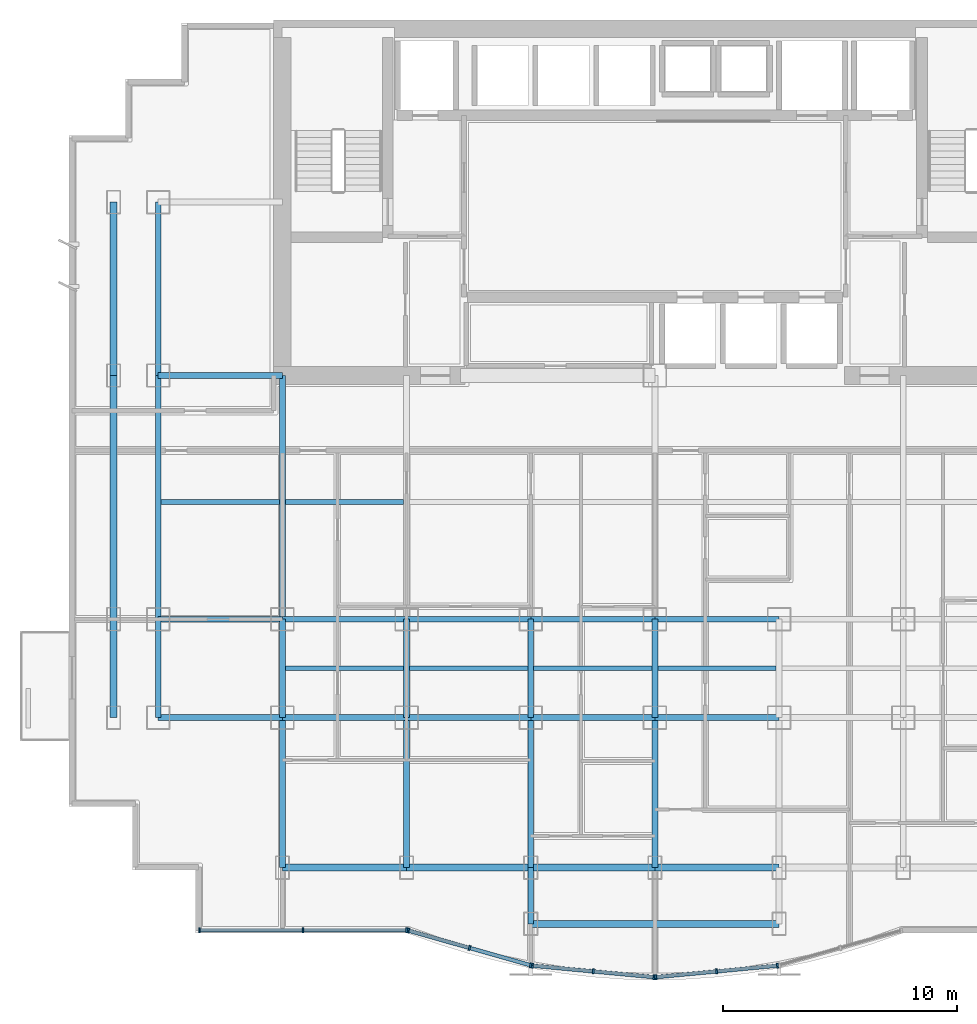
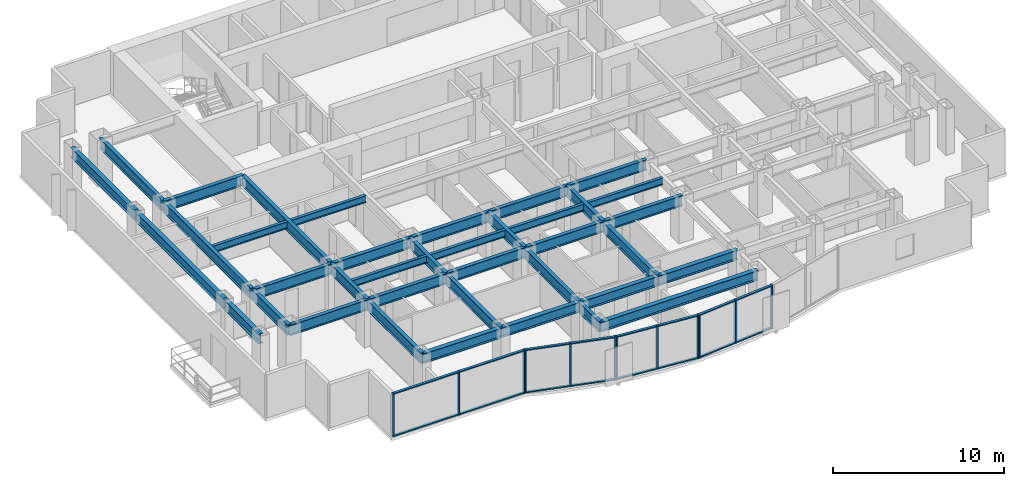
# One storey, part 2 of 10: 38 beams, 28 members, 4 elements without a shape of their own.
"""IFC4 building model written with IfcOpenShell, lengths in metres."""

from ifc_helpers import new_model, si_unit, direction, frame, origin, origin_2d, place, context, subcontext, project, spatial, rectangle, i_section, extrude, source, transform, mapped, material, layer, layer_set, material_profile, profile_set, type_object, element, aggregate, save


model = new_model("IFC4")

# Units and contexts
model_context = context("Model", 3, precision=1e-05, world=origin(), true_north=direction((0.0, 1.0)))
body_context = subcontext(model_context, "Body", "Model", "MODEL_VIEW")
ifc_project = project(units=[si_unit("LENGTHUNIT", "METRE"), si_unit("AREAUNIT", "SQUARE_METRE"), si_unit("VOLUMEUNIT", "CUBIC_METRE"), si_unit("PLANEANGLEUNIT", "RADIAN"), si_unit("MASSUNIT", "GRAM", prefix="KILO")], contexts=[model_context])

# Site, building, storey
site_placement = place(None, origin())
site = spatial("IfcSite", under=ifc_project, at=site_placement, CompositionType="ELEMENT")
building_placement = place(site_placement, origin())
building = spatial("IfcBuilding", under=site, at=building_placement, Name="Qianlan Lanfeng Residences", CompositionType="ELEMENT")
storey_placement = place(building_placement, frame((0.0, 0.0, 94.89990234375)))
storey = spatial("IfcBuildingStorey", under=building, at=storey_placement, Name="L25", CompositionType="ELEMENT", Elevation=94.89990234375)

# Beams
ifc_material_1 = material(Name="Steel SN490B", Category="steel")
ifc_material_profile_1 = material_profile(ifc_material_1, i_section(OverallWidth=0.25, OverallDepth=0.75, WebThickness=0.013916015625, FlangeThickness=0.02490234375, at=origin_2d()), Name="H 750x250x14x25")
ifc_profile_set_1 = profile_set([ifc_material_profile_1], Name="Steel SN490B")
beam_type_1 = type_object("IfcBeamType", Name="G-850", PredefinedType="BEAM", material=ifc_profile_set_1)
beam_1_placement = place(storey_placement, frame((5.300048828125, 10.60009765625, 2.715087890625), z_axis=(1.0, 0.0, 0.0), x_axis=(0.0, 1.0, 0.0)))
element("IfcBeam", 1, at=beam_1_placement, inside=storey, type_object=beam_type_1, Name="Structural beam G-850", PredefinedType="BEAM", context=body_context, shape_type="SweptSolid", body=[
    extrude(i_section(OverallWidth=0.25, OverallDepth=0.75, WebThickness=0.013916015625, FlangeThickness=0.02490234375, at=origin_2d()), origin(), (0.0, 0.0, 1.0), 5.300048828125),
])
beam_2_placement = place(storey_placement, frame((10.60009765625, 10.60009765625, 2.715087890625), z_axis=(1.0, 0.0, 0.0), x_axis=(0.0, 1.0, 0.0)))
element("IfcBeam", 2, at=beam_2_placement, inside=storey, type_object=beam_type_1, Name="Structural beam G-850", PredefinedType="BEAM", context=body_context, shape_type="SweptSolid", body=[
    extrude(i_section(OverallWidth=0.25, OverallDepth=0.75, WebThickness=0.013916015625, FlangeThickness=0.02490234375, at=origin_2d()), origin(), (0.0, 0.0, 1.0), 5.2998046875),
])
for number, where, z_axis, x_axis, name in (
    (3, (15.89990234375, 10.60009765625, 2.715087890625), (1.0, 0.0, 0.0), (0.0, 1.0, 0.0), "Structural beam G-850"),
    (4, (21.199951171875, 10.60009765625, 2.715087890625), (1.0, 0.0, 0.0), (0.0, 1.0, 0.0), "Structural beam G-850"),
    (5, (26.5, 10.60009765625, 2.715087890625), (1.0, 0.0, 0.0), (0.0, 1.0, 0.0), "Structural beam G-850"),
    (6, (5.300048828125, 14.800048828125, 2.715087890625), (1.0, 0.0, 0.0), (0.0, 1.0, 0.0), "Structural beam G-850"),
):
    element("IfcBeam", number, at=place(storey_placement, frame(where, z_axis=z_axis, x_axis=x_axis)), inside=storey, type_object=beam_type_1, Name=name, PredefinedType="BEAM", context=body_context, shape_type="SweptSolid", body=[
        extrude(i_section(OverallWidth=0.25, OverallDepth=0.75, WebThickness=0.013916015625, FlangeThickness=0.02490234375, at=origin_2d()), origin(), (0.0, 0.0, 1.0), 5.300048828125),
    ])
beam_3_placement = place(storey_placement, frame((10.60009765625, 14.800048828125, 2.715087890625), z_axis=(1.0, 0.0, 0.0), x_axis=(0.0, 1.0, 0.0)))
element("IfcBeam", 7, at=beam_3_placement, inside=storey, type_object=beam_type_1, Name="Structural beam G-850", PredefinedType="BEAM", context=body_context, shape_type="SweptSolid", body=[
    extrude(i_section(OverallWidth=0.25, OverallDepth=0.75, WebThickness=0.013916015625, FlangeThickness=0.02490234375, at=origin_2d()), origin(), (0.0, 0.0, 1.0), 5.2998046875),
])
for number, where, z_axis, x_axis, name in (
    (8, (15.89990234375, 14.800048828125, 2.715087890625), (1.0, 0.0, 0.0), (0.0, 1.0, 0.0), "Structural beam G-850"),
    (9, (21.199951171875, 14.800048828125, 2.715087890625), (1.0, 0.0, 0.0), (0.0, 1.0, 0.0), "Structural beam G-850"),
    (10, (26.5, 14.800048828125, 2.715087890625), (1.0, 0.0, 0.0), (0.0, 1.0, 0.0), "Structural beam G-850"),
    (11, (5.300048828125, 25.199951171875, 2.715087890625), (1.0, 0.0, 0.0), (0.0, 1.0, 0.0), "Structural beam G-850"),
):
    element("IfcBeam", number, at=place(storey_placement, frame(where, z_axis=z_axis, x_axis=x_axis)), inside=storey, type_object=beam_type_1, Name=name, PredefinedType="BEAM", context=body_context, shape_type="SweptSolid", body=[
        extrude(i_section(OverallWidth=0.25, OverallDepth=0.75, WebThickness=0.013916015625, FlangeThickness=0.02490234375, at=origin_2d()), origin(), (0.0, 0.0, 1.0), 5.300048828125),
    ])
beam_4_placement = place(storey_placement, frame((5.300048828125, 10.60009765625, 2.715087890625), z_axis=(0.0, 1.0, 0.0), x_axis=(-1.0, 0.0, 0.0)))
element("IfcBeam", 12, at=beam_4_placement, inside=storey, type_object=beam_type_1, Name="Structural beam G-850", PredefinedType="BEAM", context=body_context, shape_type="SweptSolid", body=[
    extrude(i_section(OverallWidth=0.25, OverallDepth=0.75, WebThickness=0.013916015625, FlangeThickness=0.02490234375, at=origin_2d()), origin(), (0.0, 0.0, 1.0), 4.199951171875),
])
beam_5_placement = place(storey_placement, frame((5.300048828125, 14.800048828125, 2.715087890625), z_axis=(0.0, 1.0, 0.0), x_axis=(-1.0, 0.0, 0.0)))
element("IfcBeam", 13, at=beam_5_placement, inside=storey, type_object=beam_type_1, Name="Structural beam G-850", PredefinedType="BEAM", context=body_context, shape_type="SweptSolid", body=[
    extrude(i_section(OverallWidth=0.25, OverallDepth=0.75, WebThickness=0.013916015625, FlangeThickness=0.02490234375, at=origin_2d()), origin(), (0.0, 0.0, 1.0), 10.39990234375),
])
beam_6_placement = place(storey_placement, frame((5.300048828125, 25.199951171875, 2.715087890625), z_axis=(0.0, 1.0, 0.0), x_axis=(-1.0, 0.0, 0.0)))
element("IfcBeam", 14, at=beam_6_placement, inside=storey, type_object=beam_type_1, Name="Structural beam G-850", PredefinedType="BEAM", context=body_context, shape_type="SweptSolid", body=[
    extrude(i_section(OverallWidth=0.25, OverallDepth=0.75, WebThickness=0.013916015625, FlangeThickness=0.02490234375, at=origin_2d()), origin(), (0.0, 0.0, 1.0), 7.400146484375),
])
beam_7_placement = place(storey_placement, frame((10.60009765625, 4.199951171875, 2.715087890625), z_axis=(0.0, 1.0, 0.0), x_axis=(-1.0, 0.0, 0.0)))
element("IfcBeam", 15, at=beam_7_placement, inside=storey, type_object=beam_type_1, Name="Structural beam G-850", PredefinedType="BEAM", context=body_context, shape_type="SweptSolid", body=[
    extrude(i_section(OverallWidth=0.25, OverallDepth=0.75, WebThickness=0.013916015625, FlangeThickness=0.02490234375, at=origin_2d()), origin(), (0.0, 0.0, 1.0), 6.400146484375),
])
beam_8_placement = place(storey_placement, frame((10.60009765625, 10.60009765625, 2.715087890625), z_axis=(0.0, 1.0, 0.0), x_axis=(-1.0, 0.0, 0.0)))
element("IfcBeam", 16, at=beam_8_placement, inside=storey, type_object=beam_type_1, Name="Structural beam G-850", PredefinedType="BEAM", context=body_context, shape_type="SweptSolid", body=[
    extrude(i_section(OverallWidth=0.25, OverallDepth=0.75, WebThickness=0.013916015625, FlangeThickness=0.02490234375, at=origin_2d()), origin(), (0.0, 0.0, 1.0), 4.199951171875),
])
beam_9_placement = place(storey_placement, frame((10.60009765625, 14.800048828125, 2.715087890625), z_axis=(0.0, 1.0, 0.0), x_axis=(-1.0, 0.0, 0.0)))
element("IfcBeam", 17, at=beam_9_placement, inside=storey, type_object=beam_type_1, Name="Structural beam G-850", PredefinedType="BEAM", context=body_context, shape_type="SweptSolid", body=[
    extrude(i_section(OverallWidth=0.25, OverallDepth=0.75, WebThickness=0.013916015625, FlangeThickness=0.02490234375, at=origin_2d()), origin(), (0.0, 0.0, 1.0), 10.39990234375),
])
beam_10_placement = place(storey_placement, frame((15.89990234375, 4.199951171875, 2.715087890625), z_axis=(0.0, 1.0, 0.0), x_axis=(-1.0, 0.0, 0.0)))
element("IfcBeam", 18, at=beam_10_placement, inside=storey, type_object=beam_type_1, Name="Structural beam G-850", PredefinedType="BEAM", context=body_context, shape_type="SweptSolid", body=[
    extrude(i_section(OverallWidth=0.25, OverallDepth=0.75, WebThickness=0.013916015625, FlangeThickness=0.02490234375, at=origin_2d()), origin(), (0.0, 0.0, 1.0), 6.400146484375),
])
beam_11_placement = place(storey_placement, frame((15.89990234375, 10.60009765625, 2.715087890625), z_axis=(0.0, 1.0, 0.0), x_axis=(-1.0, 0.0, 0.0)))
element("IfcBeam", 19, at=beam_11_placement, inside=storey, type_object=beam_type_1, Name="Structural beam G-850", PredefinedType="BEAM", context=body_context, shape_type="SweptSolid", body=[
    extrude(i_section(OverallWidth=0.25, OverallDepth=0.75, WebThickness=0.013916015625, FlangeThickness=0.02490234375, at=origin_2d()), origin(), (0.0, 0.0, 1.0), 4.199951171875),
])
beam_12_placement = place(storey_placement, frame((21.199951171875, 1.800048828125, 2.715087890625), z_axis=(0.0, 1.0, 0.0), x_axis=(-1.0, 0.0, 0.0)))
element("IfcBeam", 20, at=beam_12_placement, inside=storey, type_object=beam_type_1, Name="Structural beam G-850", PredefinedType="BEAM", context=body_context, shape_type="SweptSolid", body=[
    extrude(i_section(OverallWidth=0.25, OverallDepth=0.75, WebThickness=0.013916015625, FlangeThickness=0.02490234375, at=origin_2d()), origin(), (0.0, 0.0, 1.0), 2.39990234375),
])
beam_13_placement = place(storey_placement, frame((21.199951171875, 4.199951171875, 2.715087890625), z_axis=(0.0, 1.0, 0.0), x_axis=(-1.0, 0.0, 0.0)))
element("IfcBeam", 21, at=beam_13_placement, inside=storey, type_object=beam_type_1, Name="Structural beam G-850", PredefinedType="BEAM", context=body_context, shape_type="SweptSolid", body=[
    extrude(i_section(OverallWidth=0.25, OverallDepth=0.75, WebThickness=0.013916015625, FlangeThickness=0.02490234375, at=origin_2d()), origin(), (0.0, 0.0, 1.0), 6.400146484375),
])
beam_14_placement = place(storey_placement, frame((21.199951171875, 10.60009765625, 2.715087890625), z_axis=(0.0, 1.0, 0.0), x_axis=(-1.0, 0.0, 0.0)))
element("IfcBeam", 22, at=beam_14_placement, inside=storey, type_object=beam_type_1, Name="Structural beam G-850", PredefinedType="BEAM", context=body_context, shape_type="SweptSolid", body=[
    extrude(i_section(OverallWidth=0.25, OverallDepth=0.75, WebThickness=0.013916015625, FlangeThickness=0.02490234375, at=origin_2d()), origin(), (0.0, 0.0, 1.0), 4.199951171875),
])
beam_15_placement = place(storey_placement, frame((26.5, 4.199951171875, 2.715087890625), z_axis=(0.0, 1.0, 0.0), x_axis=(-1.0, 0.0, 0.0)))
element("IfcBeam", 23, at=beam_15_placement, inside=storey, type_object=beam_type_1, Name="Structural beam G-850", PredefinedType="BEAM", context=body_context, shape_type="SweptSolid", body=[
    extrude(i_section(OverallWidth=0.25, OverallDepth=0.75, WebThickness=0.013916015625, FlangeThickness=0.02490234375, at=origin_2d()), origin(), (0.0, 0.0, 1.0), 6.400146484375),
])
beam_16_placement = place(storey_placement, frame((26.5, 10.60009765625, 2.715087890625), z_axis=(0.0, 1.0, 0.0), x_axis=(-1.0, 0.0, 0.0)))
element("IfcBeam", 24, at=beam_16_placement, inside=storey, type_object=beam_type_1, Name="Structural beam G-850", PredefinedType="BEAM", context=body_context, shape_type="SweptSolid", body=[
    extrude(i_section(OverallWidth=0.25, OverallDepth=0.75, WebThickness=0.013916015625, FlangeThickness=0.02490234375, at=origin_2d()), origin(), (0.0, 0.0, 1.0), 4.199951171875),
])
ifc_material_profile_2 = material_profile(ifc_material_1, i_section(OverallWidth=0.199951171875, OverallDepth=0.5, WebThickness=0.010009765625, FlangeThickness=0.01611328125, at=origin_2d()), Name="H 500x200x10x16")
ifc_profile_set_2 = profile_set([ifc_material_profile_2], Name="Steel SN490B")
beam_type_2 = type_object("IfcBeamType", Name="J-500", PredefinedType="JOIST", material=ifc_profile_set_2)
beam_17_placement = place(storey_placement, frame((10.72509765625, 12.699951171875, 2.840087890625), z_axis=(1.0, 0.0, 0.0), x_axis=(0.0, 1.0, 0.0)))
element("IfcBeam", 25, at=beam_17_placement, inside=storey, type_object=beam_type_2, Name="Structural beam J-500", PredefinedType="JOIST", context=body_context, shape_type="SweptSolid", body=[
    extrude(i_section(OverallWidth=0.199951171875, OverallDepth=0.5, WebThickness=0.010009765625, FlangeThickness=0.01611328125, at=origin_2d()), origin(), (0.0, 0.0, 1.0), 5.0498046875),
])
for number, where, z_axis, x_axis, name in (
    (26, (16.02490234375, 12.699951171875, 2.840087890625), (1.0, 0.0, 0.0), (0.0, 1.0, 0.0), "Structural beam J-500"),
    (27, (21.324951171875, 12.699951171875, 2.840087890625), (1.0, 0.0, 0.0), (0.0, 1.0, 0.0), "Structural beam J-500"),
    (28, (26.625, 12.699951171875, 2.840087890625), (1.0, 0.0, 0.0), (0.0, 1.0, 0.0), "Structural beam J-500"),
    (29, (5.425048828125, 19.800048828125, 2.840087890625), (1.0, 0.0, 0.0), (0.0, 1.0, 0.0), "Structural beam J-500"),
):
    element("IfcBeam", number, at=place(storey_placement, frame(where, z_axis=z_axis, x_axis=x_axis)), inside=storey, type_object=beam_type_2, Name=name, PredefinedType="JOIST", context=body_context, shape_type="SweptSolid", body=[
        extrude(i_section(OverallWidth=0.199951171875, OverallDepth=0.5, WebThickness=0.010009765625, FlangeThickness=0.01611328125, at=origin_2d()), origin(), (0.0, 0.0, 1.0), 5.050048828125),
    ])
beam_18_placement = place(storey_placement, frame((10.72509765625, 19.800048828125, 2.840087890625), z_axis=(1.0, 0.0, 0.0), x_axis=(0.0, 1.0, 0.0)))
element("IfcBeam", 30, at=beam_18_placement, inside=storey, type_object=beam_type_2, Name="Structural beam J-500", PredefinedType="JOIST", context=body_context, shape_type="SweptSolid", body=[
    extrude(i_section(OverallWidth=0.199951171875, OverallDepth=0.5, WebThickness=0.010009765625, FlangeThickness=0.01611328125, at=origin_2d()), origin(), (0.0, 0.0, 1.0), 5.0498046875),
])
ifc_material_profile_3 = material_profile(ifc_material_1, i_section(OverallWidth=0.300048828125, OverallDepth=0.699951171875, WebThickness=0.012939453125, FlangeThickness=0.02392578125, at=origin_2d()), Name="H 700x300x13x24")
ifc_profile_set_3 = profile_set([ifc_material_profile_3], Name="Steel SN490B")
beam_type_3 = type_object("IfcBeamType", Name="SG-750", PredefinedType="SPANDREL", material=ifc_profile_set_3)
beam_19_placement = place(storey_placement, frame((21.199951171875, 1.800048828125, 2.739990234375), z_axis=(1.0, 0.0, 0.0), x_axis=(0.0, 1.0, 0.0)))
element("IfcBeam", 31, at=beam_19_placement, inside=storey, type_object=beam_type_3, Name="Structural beam SG-750", PredefinedType="SPANDREL", context=body_context, shape_type="SweptSolid", body=[
    extrude(i_section(OverallWidth=0.300048828125, OverallDepth=0.699951171875, WebThickness=0.012939453125, FlangeThickness=0.02392578125, at=origin_2d()), origin(), (0.0, 0.0, 1.0), 10.60009765625),
])
beam_20_placement = place(storey_placement, frame((10.60009765625, 4.199951171875, 2.739990234375), z_axis=(1.0, 0.0, 0.0), x_axis=(0.0, 1.0, 0.0)))
element("IfcBeam", 32, at=beam_20_placement, inside=storey, type_object=beam_type_3, Name="Structural beam SG-750", PredefinedType="SPANDREL", context=body_context, shape_type="SweptSolid", body=[
    extrude(i_section(OverallWidth=0.300048828125, OverallDepth=0.699951171875, WebThickness=0.012939453125, FlangeThickness=0.02392578125, at=origin_2d()), origin(), (0.0, 0.0, 1.0), 5.2998046875),
])
for number, where, z_axis, x_axis, name in (
    (33, (15.89990234375, 4.199951171875, 2.739990234375), (1.0, 0.0, 0.0), (0.0, 1.0, 0.0), "Structural beam SG-750"),
    (34, (21.199951171875, 4.199951171875, 2.739990234375), (1.0, 0.0, 0.0), (0.0, 1.0, 0.0), "Structural beam SG-750"),
    (35, (26.5, 4.199951171875, 2.739990234375), (1.0, 0.0, 0.0), (0.0, 1.0, 0.0), "Structural beam SG-750"),
):
    element("IfcBeam", number, at=place(storey_placement, frame(where, z_axis=z_axis, x_axis=x_axis)), inside=storey, type_object=beam_type_3, Name=name, PredefinedType="SPANDREL", context=body_context, shape_type="SweptSolid", body=[
        extrude(i_section(OverallWidth=0.300048828125, OverallDepth=0.699951171875, WebThickness=0.012939453125, FlangeThickness=0.02392578125, at=origin_2d()), origin(), (0.0, 0.0, 1.0), 5.300048828125),
    ])
beam_21_placement = place(storey_placement, frame((3.39990234375, 10.60009765625, 2.739990234375), z_axis=(0.0, 1.0, 0.0), x_axis=(-1.0, 0.0, 0.0)))
element("IfcBeam", 36, at=beam_21_placement, inside=storey, type_object=beam_type_3, Name="Structural beam SG-750", PredefinedType="SPANDREL", context=body_context, shape_type="SweptSolid", body=[
    extrude(i_section(OverallWidth=0.300048828125, OverallDepth=0.699951171875, WebThickness=0.012939453125, FlangeThickness=0.02392578125, at=origin_2d()), origin(), (0.0, 0.0, 1.0), 4.199951171875),
])
beam_22_placement = place(storey_placement, frame((3.39990234375, 14.800048828125, 2.739990234375), z_axis=(0.0, 1.0, 0.0), x_axis=(-1.0, 0.0, 0.0)))
element("IfcBeam", 37, at=beam_22_placement, inside=storey, type_object=beam_type_3, Name="Structural beam SG-750", PredefinedType="SPANDREL", context=body_context, shape_type="SweptSolid", body=[
    extrude(i_section(OverallWidth=0.300048828125, OverallDepth=0.699951171875, WebThickness=0.012939453125, FlangeThickness=0.02392578125, at=origin_2d()), origin(), (0.0, 0.0, 1.0), 10.39990234375),
])
beam_23_placement = place(storey_placement, frame((3.39990234375, 25.199951171875, 2.739990234375), z_axis=(0.0, 1.0, 0.0), x_axis=(-1.0, 0.0, 0.0)))
element("IfcBeam", 38, at=beam_23_placement, inside=storey, type_object=beam_type_3, Name="Structural beam SG-750", PredefinedType="SPANDREL", context=body_context, shape_type="SweptSolid", body=[
    extrude(i_section(OverallWidth=0.300048828125, OverallDepth=0.699951171875, WebThickness=0.012939453125, FlangeThickness=0.02392578125, at=origin_2d()), origin(), (0.0, 0.0, 1.0), 7.400146484375),
])

# Curtain wall, members
ifc_material_2 = material(Name="Anodised Bronze Aluminium 6063-T6", Category="aluminium")
ifc_layer = layer(ifc_material_2, 0.219970703125)
ifc_layer_set = layer_set([ifc_layer], Name="Anodised Bronze Aluminium 6063-T6")
curtain_wall_type = type_object("IfcCurtainWallType", Name="CW-03", PredefinedType="NOTDEFINED", material=ifc_layer_set)
curtain_wall_1_placement = place(storey_placement, origin())
curtain_wall_1 = element("IfcCurtainWall", 39, at=curtain_wall_1_placement, inside=storey, type_object=curtain_wall_type, Name="L25 Unitised Curtain Wall CWR-L25-01 (CW-03)", PredefinedType="NOTDEFINED")
ifc_material_profile_4 = material_profile(ifc_material_2, rectangle(XDim=0.080078125, YDim=0.159912109375, at=origin_2d()), Name="ALU TRANSOM 80x160")
ifc_profile_set_4 = profile_set([ifc_material_profile_4], Name="Anodised Bronze Aluminium 6063-T6")
member_type_1 = type_object("IfcMemberType", Name="CWT-180", PredefinedType="USERDEFINED", material=ifc_profile_set_4)
shared_shape_1 = source(origin(), body_context, "Body", "SweptSolid", [
    extrude(rectangle(XDim=0.080078125, YDim=0.159912109375, at=origin_2d()), origin(), (0.0, 0.0, 1.0), 4.34033203125),
])
member_1_placement = place(storey_placement, frame((7.10009765625, 1.52001953125, 0.0400390625), z_axis=(1.0, 0.0, 0.0), x_axis=(0.0, 0.0, 1.0)))
member_1 = element("IfcMember", 40, at=member_1_placement, type_object=member_type_1, Name="CWR-L25-01 Transom 1-BOT", ObjectType="TRANSOM", PredefinedType="USERDEFINED", context=body_context, shape_type="MappedRepresentation", body=[
    mapped(shared_shape_1, transform((0.0, 0.0, 0.0), scale=1.0)),
])
member_2_placement = place(storey_placement, frame((7.10009765625, 1.52001953125, 3.050048828125), z_axis=(1.0, 0.0, 0.0), x_axis=(0.0, 0.0, 1.0)))
member_2 = element("IfcMember", 41, at=member_2_placement, type_object=member_type_1, Name="CWR-L25-01 Transom 1-TOP", ObjectType="TRANSOM", PredefinedType="USERDEFINED", context=body_context, shape_type="MappedRepresentation", body=[
    mapped(shared_shape_1, transform((0.0, 0.0, 0.0), scale=1.0)),
])
shared_shape_2 = source(origin(), body_context, "Body", "SweptSolid", [
    extrude(rectangle(XDim=0.080078125, YDim=0.159912109375, at=origin_2d()), origin(), (0.0, 0.0, 1.0), 4.340576171875),
])
member_3_placement = place(storey_placement, frame((11.5205078125, 1.52001953125, 0.0400390625), z_axis=(1.0, 0.0, 0.0), x_axis=(0.0, 0.0, 1.0)))
member_3 = element("IfcMember", 42, at=member_3_placement, type_object=member_type_1, Name="CWR-L25-01 Transom 2-BOT", ObjectType="TRANSOM", PredefinedType="USERDEFINED", context=body_context, shape_type="MappedRepresentation", body=[
    mapped(shared_shape_2, transform((0.0, 0.0, 0.0), scale=1.0)),
])
member_4_placement = place(storey_placement, frame((11.5205078125, 1.52001953125, 3.050048828125), z_axis=(1.0, 0.0, 0.0), x_axis=(0.0, 0.0, 1.0)))
member_4 = element("IfcMember", 43, at=member_4_placement, type_object=member_type_1, Name="CWR-L25-01 Transom 2-TOP", ObjectType="TRANSOM", PredefinedType="USERDEFINED", context=body_context, shape_type="MappedRepresentation", body=[
    mapped(shared_shape_2, transform((0.0, 0.0, 0.0), scale=1.0)),
])

curtain_wall_2_placement = place(storey_placement, origin())
curtain_wall_2 = element("IfcCurtainWall", 44, at=curtain_wall_2_placement, inside=storey, type_object=curtain_wall_type, Name="L25 Unitised Curtain Wall CWR-L25-02 (CW-03)", PredefinedType="NOTDEFINED")
shared_shape_3 = source(origin(), body_context, "Body", "SweptSolid", [
    extrude(rectangle(XDim=0.080078125, YDim=0.159912109375, at=origin_2d()), origin(), (0.0, 0.0, 1.0), 2.630126953125),
])
member_5_placement = place(storey_placement, frame((16.01806640625, 1.498291015625, 0.0400390625), z_axis=(0.961960587005, -0.273188266675, 0.0), x_axis=(0.0, 0.0, 1.0)))
member_5 = element("IfcMember", 45, at=member_5_placement, type_object=member_type_1, Name="CWR-L25-02 Transom 1-BOT", ObjectType="TRANSOM", PredefinedType="USERDEFINED", context=body_context, shape_type="MappedRepresentation", body=[
    mapped(shared_shape_3, transform((0.0, 0.0, 0.0), scale=1.0)),
])
member_6_placement = place(storey_placement, frame((16.01806640625, 1.498291015625, 3.050048828125), z_axis=(0.961960587005, -0.273188266675, 0.0), x_axis=(0.0, 0.0, 1.0)))
member_6 = element("IfcMember", 46, at=member_6_placement, type_object=member_type_1, Name="CWR-L25-02 Transom 1-TOP", ObjectType="TRANSOM", PredefinedType="USERDEFINED", context=body_context, shape_type="MappedRepresentation", body=[
    mapped(shared_shape_3, transform((0.0, 0.0, 0.0), scale=1.0)),
])
member_7_placement = place(storey_placement, frame((18.625, 0.758056640625, 0.0400390625), z_axis=(0.961984978242, -0.273102364758, 0.0), x_axis=(0.0, 0.0, 1.0)))
member_7 = element("IfcMember", 47, at=member_7_placement, type_object=member_type_1, Name="CWR-L25-02 Transom 2-BOT", ObjectType="TRANSOM", PredefinedType="USERDEFINED", context=body_context, shape_type="MappedRepresentation", body=[
    mapped(shared_shape_3, transform((0.0, 0.0, 0.0), scale=1.0)),
])
member_8_placement = place(storey_placement, frame((18.625, 0.758056640625, 3.050048828125), z_axis=(0.961984978242, -0.273102364758, 0.0), x_axis=(0.0, 0.0, 1.0)))
member_8 = element("IfcMember", 48, at=member_8_placement, type_object=member_type_1, Name="CWR-L25-02 Transom 2-TOP", ObjectType="TRANSOM", PredefinedType="USERDEFINED", context=body_context, shape_type="MappedRepresentation", body=[
    mapped(shared_shape_3, transform((0.0, 0.0, 0.0), scale=1.0)),
])

curtain_wall_3_placement = place(storey_placement, origin())
curtain_wall_3 = element("IfcCurtainWall", 49, at=curtain_wall_3_placement, inside=storey, type_object=curtain_wall_type, Name="L25 Unitised Curtain Wall CWR-L25-03 (CW-03)", PredefinedType="NOTDEFINED")
shared_shape_4 = source(origin(), body_context, "Body", "SweptSolid", [
    extrude(rectangle(XDim=0.080078125, YDim=0.159912109375, at=origin_2d()), origin(), (0.0, 0.0, 1.0), 2.52587890625),
])
member_9_placement = place(storey_placement, frame((21.3115234375, 0.010498046875, 0.0400390625), z_axis=(0.995558673677, -0.094143121181, 0.0), x_axis=(0.0, 0.0, 1.0)))
member_9 = element("IfcMember", 50, at=member_9_placement, type_object=member_type_1, Name="CWR-L25-03 Transom 1-BOT", ObjectType="TRANSOM", PredefinedType="USERDEFINED", context=body_context, shape_type="MappedRepresentation", body=[
    mapped(shared_shape_4, transform((0.0, 0.0, 0.0), scale=1.0)),
])
member_10_placement = place(storey_placement, frame((21.3115234375, 0.010498046875, 3.050048828125), z_axis=(0.995558673677, -0.094143121181, 0.0), x_axis=(0.0, 0.0, 1.0)))
member_10 = element("IfcMember", 51, at=member_10_placement, type_object=member_type_1, Name="CWR-L25-03 Transom 1-TOP", ObjectType="TRANSOM", PredefinedType="USERDEFINED", context=body_context, shape_type="MappedRepresentation", body=[
    mapped(shared_shape_4, transform((0.0, 0.0, 0.0), scale=1.0)),
])
member_11_placement = place(storey_placement, frame((23.90576171875, -0.23486328125, 0.0400390625), z_axis=(0.995567728251, -0.094047320348, 0.0), x_axis=(0.0, 0.0, 1.0)))
member_11 = element("IfcMember", 52, at=member_11_placement, type_object=member_type_1, Name="CWR-L25-03 Transom 2-BOT", ObjectType="TRANSOM", PredefinedType="USERDEFINED", context=body_context, shape_type="MappedRepresentation", body=[
    mapped(shared_shape_4, transform((0.0, 0.0, 0.0), scale=1.0)),
])
member_12_placement = place(storey_placement, frame((23.90576171875, -0.23486328125, 3.050048828125), z_axis=(0.995567728251, -0.094047320348, 0.0), x_axis=(0.0, 0.0, 1.0)))
member_12 = element("IfcMember", 53, at=member_12_placement, type_object=member_type_1, Name="CWR-L25-03 Transom 2-TOP", ObjectType="TRANSOM", PredefinedType="USERDEFINED", context=body_context, shape_type="MappedRepresentation", body=[
    mapped(shared_shape_4, transform((0.0, 0.0, 0.0), scale=1.0)),
])

curtain_wall_4_placement = place(storey_placement, origin())
curtain_wall_4 = element("IfcCurtainWall", 54, at=curtain_wall_4_placement, inside=storey, type_object=curtain_wall_type, Name="L25 Unitised Curtain Wall CWR-L25-04 (CW-03)", PredefinedType="NOTDEFINED")
member_13_placement = place(storey_placement, frame((29.173828125, -0.227294921875, 0.0400390625), z_axis=(0.995558673677, 0.094143121181, 0.0), x_axis=(0.0, 0.0, 1.0)))
member_13 = element("IfcMember", 55, at=member_13_placement, type_object=member_type_1, Name="CWR-L25-04 Transom 2-BOT", ObjectType="TRANSOM", PredefinedType="USERDEFINED", context=body_context, shape_type="MappedRepresentation", body=[
    mapped(shared_shape_4, transform((0.0, 0.0, 0.0), scale=1.0)),
])
member_14_placement = place(storey_placement, frame((29.173828125, -0.227294921875, 3.050048828125), z_axis=(0.995558673677, 0.094143121181, 0.0), x_axis=(0.0, 0.0, 1.0)))
member_14 = element("IfcMember", 56, at=member_14_placement, type_object=member_type_1, Name="CWR-L25-04 Transom 2-TOP", ObjectType="TRANSOM", PredefinedType="USERDEFINED", context=body_context, shape_type="MappedRepresentation", body=[
    mapped(shared_shape_4, transform((0.0, 0.0, 0.0), scale=1.0)),
])
shared_shape_5 = source(origin(), body_context, "Body", "SweptSolid", [
    extrude(rectangle(XDim=0.080078125, YDim=0.159912109375, at=origin_2d()), origin(), (0.0, 0.0, 1.0), 2.525634765625),
])
member_15_placement = place(storey_placement, frame((26.57958984375, -0.472412109375, 0.0400390625), z_axis=(0.995566873206, 0.094056371262, 0.0), x_axis=(0.0, 0.0, 1.0)))
member_15 = element("IfcMember", 57, at=member_15_placement, type_object=member_type_1, Name="CWR-L25-04 Transom 1-BOT", ObjectType="TRANSOM", PredefinedType="USERDEFINED", context=body_context, shape_type="MappedRepresentation", body=[
    mapped(shared_shape_5, transform((0.0, 0.0, 0.0), scale=1.0)),
])
member_16_placement = place(storey_placement, frame((26.57958984375, -0.472412109375, 3.050048828125), z_axis=(0.995566873206, 0.094056371262, 0.0), x_axis=(0.0, 0.0, 1.0)))
member_16 = element("IfcMember", 58, at=member_16_placement, type_object=member_type_1, Name="CWR-L25-04 Transom 1-TOP", ObjectType="TRANSOM", PredefinedType="USERDEFINED", context=body_context, shape_type="MappedRepresentation", body=[
    mapped(shared_shape_5, transform((0.0, 0.0, 0.0), scale=1.0)),
])

# Member
ifc_material_profile_5 = material_profile(ifc_material_2, rectangle(XDim=0.080078125, YDim=0.2099609375, at=origin_2d()), Name="ALU MULLION 80x210")
ifc_profile_set_5 = profile_set([ifc_material_profile_5], Name="Anodised Bronze Aluminium 6063-T6")
member_type_2 = type_object("IfcMemberType", Name="CWM-220", PredefinedType="MULLION", material=ifc_profile_set_5)
shared_shape_6 = source(origin(), body_context, "Body", "SweptSolid", [
    extrude(rectangle(XDim=0.080078125, YDim=0.2099609375, at=origin_2d()), origin(), (0.0, 0.0, 1.0), 3.090087890625),
])
member_17_placement = place(storey_placement, frame((7.06005859375, 1.52001953125, 0.0), z_axis=(0.0, 0.0, 1.0), x_axis=(1.0, 0.0, 0.0)))
member_17 = element("IfcMember", 59, at=member_17_placement, type_object=member_type_2, Name="CWR-L25-01 Mullion 1", PredefinedType="MULLION", context=body_context, shape_type="MappedRepresentation", body=[
    mapped(shared_shape_6, transform((0.0, 0.0, 0.0), scale=1.0)),
])

member_18_placement = place(storey_placement, frame((11.48046875, 1.52001953125, 0.0), z_axis=(0.0, 0.0, 1.0), x_axis=(1.0, 0.0, 0.0)))
member_18 = element("IfcMember", 60, at=member_18_placement, type_object=member_type_2, Name="CWR-L25-01 Mullion 2", PredefinedType="MULLION", context=body_context, shape_type="MappedRepresentation", body=[
    mapped(shared_shape_6, transform((0.0, 0.0, 0.0), scale=1.0)),
])

member_19_placement = place(storey_placement, frame((15.90087890625, 1.52001953125, 0.0), z_axis=(0.0, 0.0, 1.0), x_axis=(1.0, 0.0, 0.0)))
member_19 = element("IfcMember", 61, at=member_19_placement, type_object=member_type_2, Name="CWR-L25-01 Mullion 3", PredefinedType="MULLION", context=body_context, shape_type="MappedRepresentation", body=[
    mapped(shared_shape_6, transform((0.0, 0.0, 0.0), scale=1.0)),
])

aggregate(curtain_wall_1, [member_17, member_18, member_19, member_1, member_2, member_3, member_4])

member_20_placement = place(storey_placement, frame((15.9794921875, 1.509033203125, 0.0), z_axis=(0.0, 0.0, 1.0), x_axis=(0.961989074302, -0.273087936247, 0.0)))
member_20 = element("IfcMember", 62, at=member_20_placement, type_object=member_type_2, Name="CWR-L25-02 Mullion 1", PredefinedType="MULLION", context=body_context, shape_type="MappedRepresentation", body=[
    mapped(shared_shape_6, transform((0.0, 0.0, 0.0), scale=1.0)),
])

member_21_placement = place(storey_placement, frame((18.58642578125, 0.76904296875, 0.0), z_axis=(0.0, 0.0, 1.0), x_axis=(0.961989074302, -0.273087936247, 0.0)))
member_21 = element("IfcMember", 63, at=member_21_placement, type_object=member_type_2, Name="CWR-L25-02 Mullion 2", PredefinedType="MULLION", context=body_context, shape_type="MappedRepresentation", body=[
    mapped(shared_shape_6, transform((0.0, 0.0, 0.0), scale=1.0)),
])

member_22_placement = place(storey_placement, frame((21.193603515625, 0.02880859375, 0.0), z_axis=(0.0, 0.0, 1.0), x_axis=(0.961989074302, -0.273087936247, 0.0)))
member_22 = element("IfcMember", 64, at=member_22_placement, type_object=member_type_2, Name="CWR-L25-02 Mullion 3", PredefinedType="MULLION", context=body_context, shape_type="MappedRepresentation", body=[
    mapped(shared_shape_6, transform((0.0, 0.0, 0.0), scale=1.0)),
])

aggregate(curtain_wall_2, [member_20, member_21, member_22, member_5, member_6, member_7, member_8])

member_23_placement = place(storey_placement, frame((21.271728515625, 0.01416015625, 0.0), z_axis=(0.0, 0.0, 1.0), x_axis=(0.995561471839, -0.094113526067, 0.0)))
member_23 = element("IfcMember", 65, at=member_23_placement, type_object=member_type_2, Name="CWR-L25-03 Mullion 1", PredefinedType="MULLION", context=body_context, shape_type="MappedRepresentation", body=[
    mapped(shared_shape_6, transform((0.0, 0.0, 0.0), scale=1.0)),
])

member_24_placement = place(storey_placement, frame((23.865966796875, -0.23095703125, 0.0), z_axis=(0.0, 0.0, 1.0), x_axis=(0.995561471839, -0.094113526067, 0.0)))
member_24 = element("IfcMember", 66, at=member_24_placement, type_object=member_type_2, Name="CWR-L25-03 Mullion 2", PredefinedType="MULLION", context=body_context, shape_type="MappedRepresentation", body=[
    mapped(shared_shape_6, transform((0.0, 0.0, 0.0), scale=1.0)),
])

member_25_placement = place(storey_placement, frame((26.460205078125, -0.476318359375, 0.0), z_axis=(0.0, 0.0, 1.0), x_axis=(0.995561471839, -0.094113526067, 0.0)))
member_25 = element("IfcMember", 67, at=member_25_placement, type_object=member_type_2, Name="CWR-L25-03 Mullion 3", PredefinedType="MULLION", context=body_context, shape_type="MappedRepresentation", body=[
    mapped(shared_shape_6, transform((0.0, 0.0, 0.0), scale=1.0)),
])

aggregate(curtain_wall_3, [member_23, member_24, member_25, member_9, member_10, member_11, member_12])

member_26_placement = place(storey_placement, frame((26.539794921875, -0.476318359375, 0.0), z_axis=(0.0, 0.0, 1.0), x_axis=(0.995561471839, 0.094113526067, 0.0)))
member_26 = element("IfcMember", 68, at=member_26_placement, type_object=member_type_2, Name="CWR-L25-04 Mullion 1", PredefinedType="MULLION", context=body_context, shape_type="MappedRepresentation", body=[
    mapped(shared_shape_6, transform((0.0, 0.0, 0.0), scale=1.0)),
])

member_27_placement = place(storey_placement, frame((29.134033203125, -0.23095703125, 0.0), z_axis=(0.0, 0.0, 1.0), x_axis=(0.995561471839, 0.094113526067, 0.0)))
member_27 = element("IfcMember", 69, at=member_27_placement, type_object=member_type_2, Name="CWR-L25-04 Mullion 2", PredefinedType="MULLION", context=body_context, shape_type="MappedRepresentation", body=[
    mapped(shared_shape_6, transform((0.0, 0.0, 0.0), scale=1.0)),
])

member_28_placement = place(storey_placement, frame((31.728271484375, 0.01416015625, 0.0), z_axis=(0.0, 0.0, 1.0), x_axis=(0.995561471839, 0.094113526067, 0.0)))
member_28 = element("IfcMember", 70, at=member_28_placement, type_object=member_type_2, Name="CWR-L25-04 Mullion 3", PredefinedType="MULLION", context=body_context, shape_type="MappedRepresentation", body=[
    mapped(shared_shape_6, transform((0.0, 0.0, 0.0), scale=1.0)),
])

aggregate(curtain_wall_4, [member_26, member_27, member_28, member_15, member_16, member_13, member_14])

save(model, "model.ifc")
